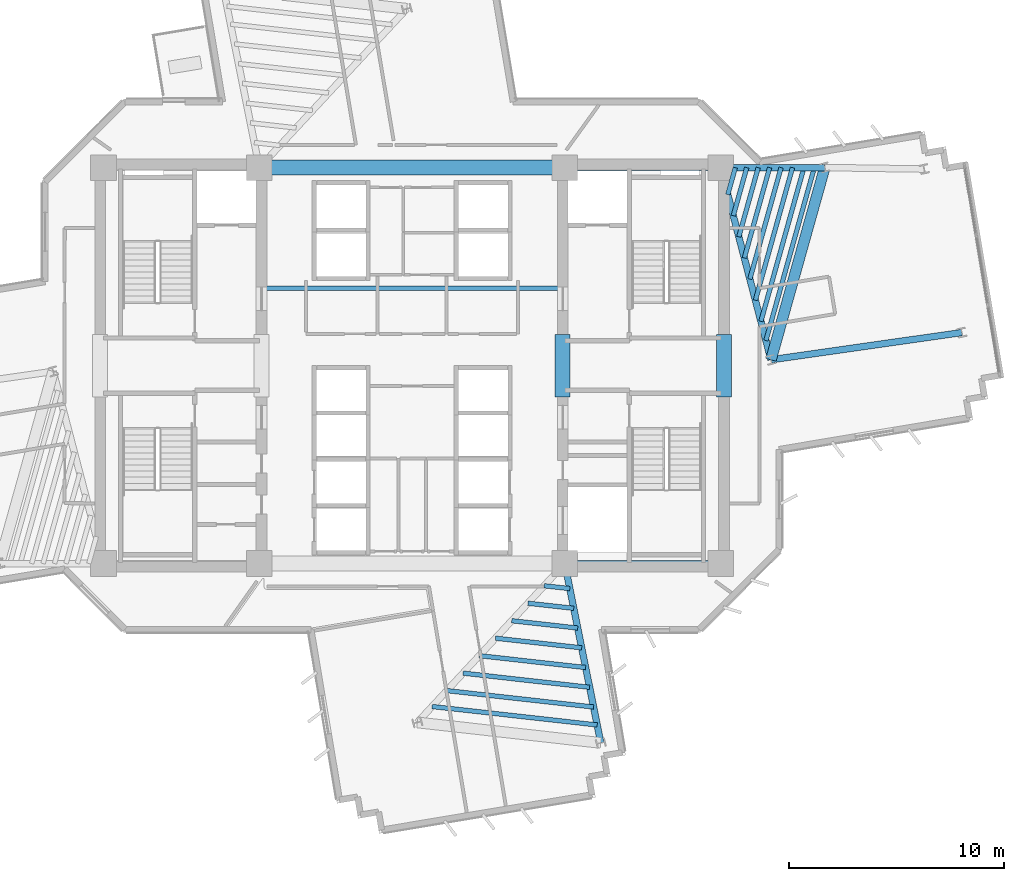
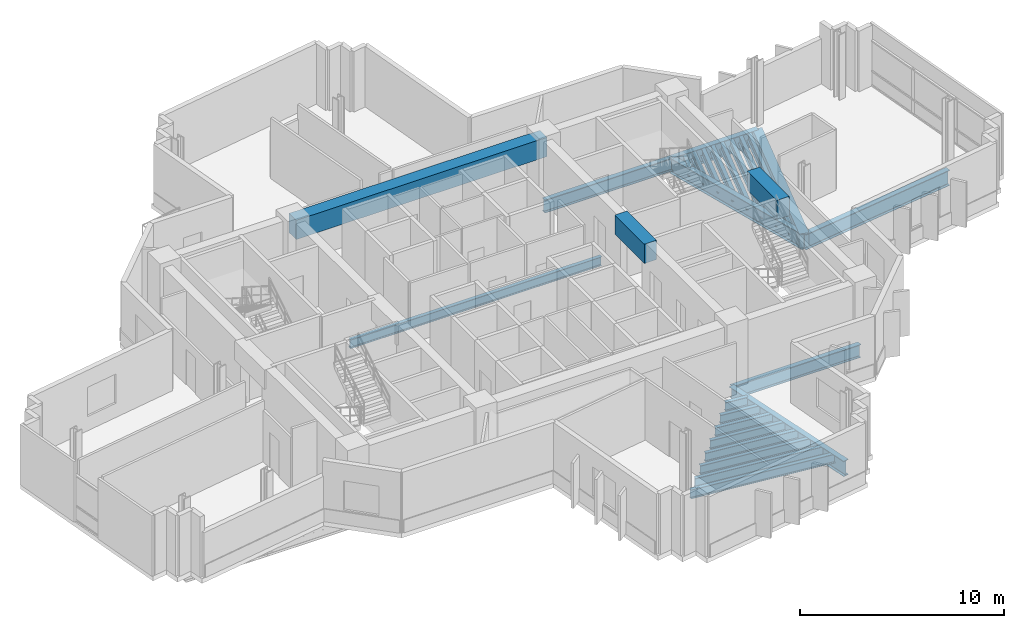
# One storey, part 4 of 15: 27 beams.
"""IFC4 building model written with IfcOpenShell, lengths in metres."""

from ifc_helpers import new_model, si_unit, direction, frame, origin, origin_2d, place, context, subcontext, project, spatial, rectangle, i_section, extrude, source, transform, mapped, material, material_profile, profile_set, type_object, element, save


model = new_model("IFC4")

# Units and contexts
model_context = context("Model", 3, precision=1e-05, world=origin(), true_north=direction((0.0, 1.0)))
body_context = subcontext(model_context, "Body", "Model", "MODEL_VIEW")
ifc_project = project(units=[si_unit("LENGTHUNIT", "METRE"), si_unit("AREAUNIT", "SQUARE_METRE"), si_unit("VOLUMEUNIT", "CUBIC_METRE"), si_unit("PLANEANGLEUNIT", "RADIAN"), si_unit("MASSUNIT", "GRAM", prefix="KILO")], contexts=[model_context])

# Site, building, storey
site_placement = place(None, origin())
site = spatial("IfcSite", under=ifc_project, at=site_placement, CompositionType="ELEMENT")
building_placement = place(site_placement, origin())
building = spatial("IfcBuilding", under=site, at=building_placement, Name="Zahravan Cultural Tower", CompositionType="ELEMENT")
storey_placement = place(building_placement, frame((0.0, 0.0, 135.60009765625)))
storey = spatial("IfcBuildingStorey", under=building, at=storey_placement, Name="L30", CompositionType="ELEMENT", Elevation=135.60009765625)

# Beams
ifc_material_1 = material(Name="Concrete C50/60", Category="concrete")
ifc_material_profile_1 = material_profile(ifc_material_1, rectangle(XDim=0.699951171875, YDim=1.14990234375, at=origin_2d()), Name="RC700X1150")
ifc_profile_set_1 = profile_set([ifc_material_profile_1], Name="Concrete C50/60")
beam_type_1 = type_object("IfcBeamType", Name="BM-LN-RC700X1150", PredefinedType="LINTEL", material=ifc_profile_set_1)
shared_shape_1 = source(origin(), body_context, "Body", "SweptSolid", [
    extrude(rectangle(XDim=0.699951171875, YDim=1.14990234375, at=origin_2d()), origin(), (0.0, 0.0, 1.0), 14.2001953125),
])
beam_1_placement = place(storey_placement, frame((28.89990234375, 36.199951171875, 3.044921875), z_axis=(1.0, 0.0, 0.0), x_axis=(0.0, 1.0, 0.0)))
element("IfcBeam", 1, at=beam_1_placement, inside=storey, type_object=beam_type_1, Name="L30 Beam LN-L30-N", PredefinedType="LINTEL", context=body_context, shape_type="MappedRepresentation", body=[
    mapped(shared_shape_1, transform((0.0, 0.0, 0.0), x_axis=(1.0, 0.0, 0.0), y_axis=(0.0, 1.0, 0.0), z_axis=(0.0, 0.0, 1.0), scale=1.0)),
])
shared_shape_2 = source(origin(), body_context, "Body", "SweptSolid", [
    extrude(rectangle(XDim=0.699951171875, YDim=1.14990234375, at=origin_2d()), origin(), (0.0, 0.0, 1.0), 2.89990234375),
])
for number, where, z_axis, x_axis, name in (
    (2, (43.0, 25.550048828125, 3.044921875), (0.0, 1.0, 0.0), (-1.0, 0.0, 0.0), "L30 Beam LN-L30-PEW"),
    (3, (50.5, 25.550048828125, 3.044921875), (0.0, 1.0, 0.0), (-1.0, 0.0, 0.0), "L30 Beam LN-L30-PEE"),
):
    element("IfcBeam", number, at=place(storey_placement, frame(where, z_axis=z_axis, x_axis=x_axis)), inside=storey, type_object=beam_type_1, Name=name, PredefinedType="LINTEL", context=body_context, shape_type="MappedRepresentation", body=[
        mapped(shared_shape_2, transform((0.0, 0.0, 0.0), x_axis=(1.0, 0.0, 0.0), y_axis=(0.0, 1.0, 0.0), z_axis=(0.0, 0.0, 1.0), scale=1.0)),
    ])
ifc_material_2 = material(Name="Steel ASTM A992 Grade 50", Category="steel")
ifc_material_profile_2 = material_profile(ifc_material_2, i_section(OverallWidth=0.26611328125, OverallDepth=0.780029296875, WebThickness=0.0166015625, FlangeThickness=0.030029296875, FilletRadius=0.01904296875, at=origin_2d()), Name="W30X148")
ifc_profile_set_2 = profile_set([ifc_material_profile_2], Name="Steel ASTM A992 Grade 50")
beam_type_2 = type_object("IfcBeamType", Name="BM-G-W30X148", PredefinedType="BEAM", material=ifc_profile_set_2)
shared_shape_3 = source(origin(), body_context, "Body", "SweptSolid", [
    extrude(i_section(OverallWidth=0.26611328125, OverallDepth=0.780029296875, WebThickness=0.0166015625, FlangeThickness=0.030029296875, FilletRadius=0.01904296875, at=origin_2d()), origin(), (0.0, 0.0, 1.0), 7.25),
])
for number, where, z_axis, x_axis, name in (
    (4, (43.10009765625, 17.800048828125, -0.670166015625), (1.0, 0.0, 0.0), (0.0, 1.0, 0.0), "L30 Beam BG-L30-04"),
    (5, (43.10009765625, 36.199951171875, -0.670166015625), (1.0, 0.0, 0.0), (0.0, 1.0, 0.0), "L30 Beam BG-L30-05"),
):
    element("IfcBeam", number, at=place(storey_placement, frame(where, z_axis=z_axis, x_axis=x_axis)), inside=storey, type_object=beam_type_2, Name=name, PredefinedType="BEAM", context=body_context, shape_type="MappedRepresentation", body=[
        mapped(shared_shape_3, transform((0.0, 0.0, 0.0), x_axis=(1.0, 0.0, 0.0), y_axis=(0.0, 1.0, 0.0), z_axis=(0.0, 0.0, 1.0), scale=1.0)),
    ])
ifc_material_profile_3 = material_profile(ifc_material_2, i_section(OverallWidth=0.304931640625, OverallDepth=0.9189453125, WebThickness=0.017333984375, FlangeThickness=0.02783203125, FilletRadius=0.02392578125, at=origin_2d()), Name="W36X170")
ifc_profile_set_3 = profile_set([ifc_material_profile_3], Name="Steel ASTM A992 Grade 50")
beam_type_3 = type_object("IfcBeamType", Name="BM-G-W36X170", PredefinedType="BEAM", material=ifc_profile_set_3)
shared_shape_4 = source(origin(), body_context, "Body", "SweptSolid", [
    extrude(i_section(OverallWidth=0.304931640625, OverallDepth=0.9189453125, WebThickness=0.017333984375, FlangeThickness=0.02783203125, FilletRadius=0.02392578125, at=origin_2d()), origin(), (0.0, 0.0, 1.0), 9.22900390625),
])
beam_2_placement = place(storey_placement, frame((50.35009765625, 36.199951171875, -0.739501953125), z_axis=(0.252922608408, -0.967486513682, 0.0), x_axis=(0.967486513682, 0.252922608408, 0.0)))
element("IfcBeam", 6, at=beam_2_placement, inside=storey, type_object=beam_type_3, Name="L30 Beam BG-L30-11", PredefinedType="BEAM", context=body_context, shape_type="MappedRepresentation", body=[
    mapped(shared_shape_4, transform((0.0, 0.0, 0.0), x_axis=(1.0, 0.0, 0.0), y_axis=(0.0, 1.0, 0.0), z_axis=(0.0, 0.0, 1.0), scale=1.0)),
])
shared_shape_5 = source(origin(), body_context, "Body", "SweptSolid", [
    extrude(i_section(OverallWidth=0.304931640625, OverallDepth=0.9189453125, WebThickness=0.017333984375, FlangeThickness=0.02783203125, FilletRadius=0.02392578125, at=origin_2d()), origin(), (0.0, 0.0, 1.0), 4.834716796875),
])
beam_3_placement = place(storey_placement, frame((50.35009765625, 36.199951171875, -0.739501953125), z_axis=(0.99999920313, 0.001262433979, 0.0), x_axis=(-0.001262433979, 0.99999920313, 0.0)))
element("IfcBeam", 7, at=beam_3_placement, inside=storey, type_object=beam_type_3, Name="L30 Beam BG-L30-12", PredefinedType="BEAM", context=body_context, shape_type="MappedRepresentation", body=[
    mapped(shared_shape_5, transform((0.0, 0.0, 0.0), x_axis=(1.0, 0.0, 0.0), y_axis=(0.0, 1.0, 0.0), z_axis=(0.0, 0.0, 1.0), scale=1.0)),
])
shared_shape_6 = source(origin(), body_context, "Body", "SweptSolid", [
    extrude(i_section(OverallWidth=0.304931640625, OverallDepth=0.9189453125, WebThickness=0.017333984375, FlangeThickness=0.02783203125, FilletRadius=0.02392578125, at=origin_2d()), origin(), (0.0, 0.0, 1.0), 8.50732421875),
])
beam_4_placement = place(storey_placement, frame((43.10009765625, 17.800048828125, -0.739501953125), z_axis=(0.196524514012, -0.980498911469, 0.0), x_axis=(0.980498911469, 0.196524514012, 0.0)))
element("IfcBeam", 8, at=beam_4_placement, inside=storey, type_object=beam_type_3, Name="L30 Beam BG-L30-10", PredefinedType="BEAM", context=body_context, shape_type="MappedRepresentation", body=[
    mapped(shared_shape_6, transform((0.0, 0.0, 0.0), x_axis=(1.0, 0.0, 0.0), y_axis=(0.0, 1.0, 0.0), z_axis=(0.0, 0.0, 1.0), scale=1.0)),
])
shared_shape_7 = source(origin(), body_context, "Body", "SweptSolid", [
    extrude(i_section(OverallWidth=0.304931640625, OverallDepth=0.9189453125, WebThickness=0.017333984375, FlangeThickness=0.02783203125, FilletRadius=0.02392578125, at=origin_2d()), origin(), (0.0, 0.0, 1.0), 8.9580078125),
])
beam_5_placement = place(storey_placement, frame((52.684326171875, 27.27099609375, -0.739501953125), z_axis=(0.990000122431, 0.141066500584, 0.0), x_axis=(-0.141066500584, 0.990000122431, 0.0)))
element("IfcBeam", 9, at=beam_5_placement, inside=storey, type_object=beam_type_3, Name="L30 Beam BG-L30-15", PredefinedType="BEAM", context=body_context, shape_type="MappedRepresentation", body=[
    mapped(shared_shape_7, transform((0.0, 0.0, 0.0), x_axis=(1.0, 0.0, 0.0), y_axis=(0.0, 1.0, 0.0), z_axis=(0.0, 0.0, 1.0), scale=1.0)),
])
ifc_material_profile_4 = material_profile(ifc_material_1, rectangle(XDim=0.5, YDim=0.85009765625, at=origin_2d()), Name="RC500X850")
ifc_profile_set_4 = profile_set([ifc_material_profile_4], Name="Concrete C50/60")
beam_type_4 = type_object("IfcBeamType", Name="BM-SP-RC500X850", PredefinedType="SPANDREL", material=ifc_profile_set_4)
shared_shape_8 = source(origin(), body_context, "Body", "SweptSolid", [
    extrude(rectangle(XDim=0.5, YDim=0.85009765625, at=origin_2d()), origin(), (0.0, 0.0, 1.0), 9.2783203125),
])
beam_6_placement = place(storey_placement, frame((52.684326171875, 27.27099609375, -0.705078125), z_axis=(0.269497187032, 0.963001176625, 0.0), x_axis=(-0.963001176625, 0.269497187032, 0.0)))
element("IfcBeam", 10, at=beam_6_placement, inside=storey, type_object=beam_type_4, Name="L30 Beam SP-L30-21", PredefinedType="SPANDREL", context=body_context, shape_type="MappedRepresentation", body=[
    mapped(shared_shape_8, transform((0.0, 0.0, 0.0), x_axis=(1.0, 0.0, 0.0), y_axis=(0.0, 1.0, 0.0), z_axis=(0.0, 0.0, 1.0), scale=1.0)),
])
ifc_material_profile_5 = material_profile(ifc_material_2, i_section(OverallWidth=0.2099609375, OverallDepth=0.532958984375, WebThickness=0.01025390625, FlangeThickness=0.015625, FilletRadius=0.013916015625, at=origin_2d()), Name="W21X62")
ifc_profile_set_5 = profile_set([ifc_material_profile_5], Name="Steel ASTM A992 Grade 50")
beam_type_5 = type_object("IfcBeamType", Name="BM-J-W21X62", PredefinedType="JOIST", material=ifc_profile_set_5)
shared_shape_9 = source(origin(), body_context, "Body", "SweptSolid", [
    extrude(i_section(OverallWidth=0.2099609375, OverallDepth=0.532958984375, WebThickness=0.01025390625, FlangeThickness=0.015625, FilletRadius=0.013916015625, at=origin_2d()), origin(), (0.0, 0.0, 1.0), 14.2001953125),
])
beam_7_placement = place(storey_placement, frame((28.89990234375, 30.60009765625, -0.546630859375), z_axis=(1.0, 0.0, 0.0), x_axis=(0.0, 1.0, 0.0)))
element("IfcBeam", 11, at=beam_7_placement, inside=storey, type_object=beam_type_5, Name="L30 Beam BJ-L30-23", PredefinedType="JOIST", context=body_context, shape_type="MappedRepresentation", body=[
    mapped(shared_shape_9, transform((0.0, 0.0, 0.0), x_axis=(1.0, 0.0, 0.0), y_axis=(0.0, 1.0, 0.0), z_axis=(0.0, 0.0, 1.0), scale=1.0)),
])
shared_shape_10 = source(origin(), body_context, "Body", "SweptSolid", [
    extrude(i_section(OverallWidth=0.2099609375, OverallDepth=0.532958984375, WebThickness=0.01025390625, FlangeThickness=0.015625, FilletRadius=0.013916015625, at=origin_2d()), origin(), (0.0, 0.0, 1.0), 1.299072265625),
])
beam_8_placement = place(storey_placement, frame((50.6767578125, 34.949951171875, -0.546630859375), z_axis=(0.269504444708, 0.962999145525, 0.0), x_axis=(-0.962999145525, 0.269504444708, 0.0)))
element("IfcBeam", 12, at=beam_8_placement, inside=storey, type_object=beam_type_5, Name="L30 Beam BJ-L30-40", PredefinedType="JOIST", context=body_context, shape_type="MappedRepresentation", body=[
    mapped(shared_shape_10, transform((0.0, 0.0, 0.0), x_axis=(1.0, 0.0, 0.0), y_axis=(0.0, 1.0, 0.0), z_axis=(0.0, 0.0, 1.0), scale=1.0)),
])
shared_shape_11 = source(origin(), body_context, "Body", "SweptSolid", [
    extrude(i_section(OverallWidth=0.2099609375, OverallDepth=0.532958984375, WebThickness=0.01025390625, FlangeThickness=0.015625, FilletRadius=0.013916015625, at=origin_2d()), origin(), (0.0, 0.0, 1.0), 2.3193359375),
])
beam_9_placement = place(storey_placement, frame((50.93359375, 33.9677734375, -0.546630859375), z_axis=(0.269462038626, 0.963011012263, 0.0), x_axis=(-0.963011012263, 0.269462038626, 0.0)))
element("IfcBeam", 13, at=beam_9_placement, inside=storey, type_object=beam_type_5, Name="L30 Beam BJ-L30-41", PredefinedType="JOIST", context=body_context, shape_type="MappedRepresentation", body=[
    mapped(shared_shape_11, transform((0.0, 0.0, 0.0), x_axis=(1.0, 0.0, 0.0), y_axis=(0.0, 1.0, 0.0), z_axis=(0.0, 0.0, 1.0), scale=1.0)),
])
shared_shape_12 = source(origin(), body_context, "Body", "SweptSolid", [
    extrude(i_section(OverallWidth=0.2099609375, OverallDepth=0.532958984375, WebThickness=0.01025390625, FlangeThickness=0.015625, FilletRadius=0.013916015625, at=origin_2d()), origin(), (0.0, 0.0, 1.0), 3.340087890625),
])
beam_10_placement = place(storey_placement, frame((51.190185546875, 32.985595703125, -0.546630859375), z_axis=(0.269562146951, 0.962982995141, 0.0), x_axis=(-0.962982995141, 0.269562146951, 0.0)))
element("IfcBeam", 14, at=beam_10_placement, inside=storey, type_object=beam_type_5, Name="L30 Beam BJ-L30-42", PredefinedType="JOIST", context=body_context, shape_type="MappedRepresentation", body=[
    mapped(shared_shape_12, transform((0.0, 0.0, 0.0), x_axis=(1.0, 0.0, 0.0), y_axis=(0.0, 1.0, 0.0), z_axis=(0.0, 0.0, 1.0), scale=1.0)),
])
shared_shape_13 = source(origin(), body_context, "Body", "SweptSolid", [
    extrude(i_section(OverallWidth=0.2099609375, OverallDepth=0.532958984375, WebThickness=0.01025390625, FlangeThickness=0.015625, FilletRadius=0.013916015625, at=origin_2d()), origin(), (0.0, 0.0, 1.0), 4.36083984375),
])
beam_11_placement = place(storey_placement, frame((51.447021484375, 32.00341796875, -0.546630859375), z_axis=(0.269511557673, 0.962997154866, 0.0), x_axis=(-0.962997154866, 0.269511557673, 0.0)))
element("IfcBeam", 15, at=beam_11_placement, inside=storey, type_object=beam_type_5, Name="L30 Beam BJ-L30-43", PredefinedType="JOIST", context=body_context, shape_type="MappedRepresentation", body=[
    mapped(shared_shape_13, transform((0.0, 0.0, 0.0), x_axis=(1.0, 0.0, 0.0), y_axis=(0.0, 1.0, 0.0), z_axis=(0.0, 0.0, 1.0), scale=1.0)),
])
shared_shape_14 = source(origin(), body_context, "Body", "SweptSolid", [
    extrude(i_section(OverallWidth=0.2099609375, OverallDepth=0.532958984375, WebThickness=0.01025390625, FlangeThickness=0.015625, FilletRadius=0.013916015625, at=origin_2d()), origin(), (0.0, 0.0, 1.0), 5.3818359375),
])
beam_12_placement = place(storey_placement, frame((51.703857421875, 31.02099609375, -0.546630859375), z_axis=(0.269510454638, 0.962997463569, 0.0), x_axis=(-0.962997463569, 0.269510454638, 0.0)))
element("IfcBeam", 16, at=beam_12_placement, inside=storey, type_object=beam_type_5, Name="L30 Beam BJ-L30-44", PredefinedType="JOIST", context=body_context, shape_type="MappedRepresentation", body=[
    mapped(shared_shape_14, transform((0.0, 0.0, 0.0), x_axis=(1.0, 0.0, 0.0), y_axis=(0.0, 1.0, 0.0), z_axis=(0.0, 0.0, 1.0), scale=1.0)),
])
shared_shape_15 = source(origin(), body_context, "Body", "SweptSolid", [
    extrude(i_section(OverallWidth=0.2099609375, OverallDepth=0.532958984375, WebThickness=0.01025390625, FlangeThickness=0.015625, FilletRadius=0.013916015625, at=origin_2d()), origin(), (0.0, 0.0, 1.0), 6.402099609375),
])
beam_13_placement = place(storey_placement, frame((51.960693359375, 30.038818359375, -0.546630859375), z_axis=(0.269494133533, 0.963002031146, 0.0), x_axis=(-0.963002031146, 0.269494133533, 0.0)))
element("IfcBeam", 17, at=beam_13_placement, inside=storey, type_object=beam_type_5, Name="L30 Beam BJ-L30-45", PredefinedType="JOIST", context=body_context, shape_type="MappedRepresentation", body=[
    mapped(shared_shape_15, transform((0.0, 0.0, 0.0), x_axis=(1.0, 0.0, 0.0), y_axis=(0.0, 1.0, 0.0), z_axis=(0.0, 0.0, 1.0), scale=1.0)),
])
shared_shape_16 = source(origin(), body_context, "Body", "SweptSolid", [
    extrude(i_section(OverallWidth=0.2099609375, OverallDepth=0.532958984375, WebThickness=0.01025390625, FlangeThickness=0.015625, FilletRadius=0.013916015625, at=origin_2d()), origin(), (0.0, 0.0, 1.0), 7.4228515625),
])
beam_14_placement = place(storey_placement, frame((52.21728515625, 29.056640625, -0.546630859375), z_axis=(0.269504266128, 0.962999195503, 0.0), x_axis=(-0.962999195503, 0.269504266128, 0.0)))
element("IfcBeam", 18, at=beam_14_placement, inside=storey, type_object=beam_type_5, Name="L30 Beam BJ-L30-46", PredefinedType="JOIST", context=body_context, shape_type="MappedRepresentation", body=[
    mapped(shared_shape_16, transform((0.0, 0.0, 0.0), x_axis=(1.0, 0.0, 0.0), y_axis=(0.0, 1.0, 0.0), z_axis=(0.0, 0.0, 1.0), scale=1.0)),
])
shared_shape_17 = source(origin(), body_context, "Body", "SweptSolid", [
    extrude(i_section(OverallWidth=0.2099609375, OverallDepth=0.532958984375, WebThickness=0.01025390625, FlangeThickness=0.015625, FilletRadius=0.013916015625, at=origin_2d()), origin(), (0.0, 0.0, 1.0), 8.350830078125),
])
beam_15_placement = place(storey_placement, frame((52.450927734375, 28.163818359375, -0.546630859375), z_axis=(0.269496539555, 0.963001357822, 0.0), x_axis=(-0.963001357822, 0.269496539555, 0.0)))
element("IfcBeam", 19, at=beam_15_placement, inside=storey, type_object=beam_type_5, Name="L30 Beam BJ-L30-47", PredefinedType="JOIST", context=body_context, shape_type="MappedRepresentation", body=[
    mapped(shared_shape_17, transform((0.0, 0.0, 0.0), x_axis=(1.0, 0.0, 0.0), y_axis=(0.0, 1.0, 0.0), z_axis=(0.0, 0.0, 1.0), scale=1.0)),
])
shared_shape_18 = source(origin(), body_context, "Body", "SweptSolid", [
    extrude(i_section(OverallWidth=0.2099609375, OverallDepth=0.532958984375, WebThickness=0.01025390625, FlangeThickness=0.015625, FilletRadius=0.013916015625, at=origin_2d()), origin(), (0.0, 0.0, 1.0), 1.201171875),
])
beam_16_placement = place(storey_placement, frame((42.140380859375, 16.765625, -0.546630859375), z_axis=(0.99379916149, -0.111190047317, 0.0), x_axis=(0.111190047317, 0.99379916149, 0.0)))
element("IfcBeam", 20, at=beam_16_placement, inside=storey, type_object=beam_type_5, Name="L30 Beam BJ-L30-32", PredefinedType="JOIST", context=body_context, shape_type="MappedRepresentation", body=[
    mapped(shared_shape_18, transform((0.0, 0.0, 0.0), x_axis=(1.0, 0.0, 0.0), y_axis=(0.0, 1.0, 0.0), z_axis=(0.0, 0.0, 1.0), scale=1.0)),
])
shared_shape_19 = source(origin(), body_context, "Body", "SweptSolid", [
    extrude(i_section(OverallWidth=0.2099609375, OverallDepth=0.532958984375, WebThickness=0.01025390625, FlangeThickness=0.015625, FilletRadius=0.013916015625, at=origin_2d()), origin(), (0.0, 0.0, 1.0), 2.144775390625),
])
beam_17_placement = place(storey_placement, frame((41.386474609375, 15.953125, -0.546630859375), z_axis=(0.993797370806, -0.111206051, 0.0), x_axis=(0.111206051, 0.993797370806, 0.0)))
element("IfcBeam", 21, at=beam_17_placement, inside=storey, type_object=beam_type_5, Name="L30 Beam BJ-L30-33", PredefinedType="JOIST", context=body_context, shape_type="MappedRepresentation", body=[
    mapped(shared_shape_19, transform((0.0, 0.0, 0.0), x_axis=(1.0, 0.0, 0.0), y_axis=(0.0, 1.0, 0.0), z_axis=(0.0, 0.0, 1.0), scale=1.0)),
])
shared_shape_20 = source(origin(), body_context, "Body", "SweptSolid", [
    extrude(i_section(OverallWidth=0.2099609375, OverallDepth=0.532958984375, WebThickness=0.01025390625, FlangeThickness=0.015625, FilletRadius=0.013916015625, at=origin_2d()), origin(), (0.0, 0.0, 1.0), 3.088623046875),
])
beam_18_placement = place(storey_placement, frame((40.63232421875, 15.140380859375, -0.546630859375), z_axis=(0.993805407368, -0.111134208443, 0.0), x_axis=(0.111134208443, 0.993805407368, 0.0)))
element("IfcBeam", 22, at=beam_18_placement, inside=storey, type_object=beam_type_5, Name="L30 Beam BJ-L30-34", PredefinedType="JOIST", context=body_context, shape_type="MappedRepresentation", body=[
    mapped(shared_shape_20, transform((0.0, 0.0, 0.0), x_axis=(1.0, 0.0, 0.0), y_axis=(0.0, 1.0, 0.0), z_axis=(0.0, 0.0, 1.0), scale=1.0)),
])
shared_shape_21 = source(origin(), body_context, "Body", "SweptSolid", [
    extrude(i_section(OverallWidth=0.2099609375, OverallDepth=0.532958984375, WebThickness=0.01025390625, FlangeThickness=0.015625, FilletRadius=0.013916015625, at=origin_2d()), origin(), (0.0, 0.0, 1.0), 4.0322265625),
])
beam_19_placement = place(storey_placement, frame((39.87841796875, 14.327880859375, -0.546630859375), z_axis=(0.993802245601, -0.11116247855, 0.0), x_axis=(0.11116247855, 0.993802245601, 0.0)))
element("IfcBeam", 23, at=beam_19_placement, inside=storey, type_object=beam_type_5, Name="L30 Beam BJ-L30-35", PredefinedType="JOIST", context=body_context, shape_type="MappedRepresentation", body=[
    mapped(shared_shape_21, transform((0.0, 0.0, 0.0), x_axis=(1.0, 0.0, 0.0), y_axis=(0.0, 1.0, 0.0), z_axis=(0.0, 0.0, 1.0), scale=1.0)),
])
shared_shape_22 = source(origin(), body_context, "Body", "SweptSolid", [
    extrude(i_section(OverallWidth=0.2099609375, OverallDepth=0.532958984375, WebThickness=0.01025390625, FlangeThickness=0.015625, FilletRadius=0.013916015625, at=origin_2d()), origin(), (0.0, 0.0, 1.0), 4.97607421875),
])
beam_20_placement = place(storey_placement, frame((39.124267578125, 13.51513671875, -0.546630859375), z_axis=(0.993806308517, -0.111126149723, 0.0), x_axis=(0.111126149723, 0.993806308517, 0.0)))
element("IfcBeam", 24, at=beam_20_placement, inside=storey, type_object=beam_type_5, Name="L30 Beam BJ-L30-36", PredefinedType="JOIST", context=body_context, shape_type="MappedRepresentation", body=[
    mapped(shared_shape_22, transform((0.0, 0.0, 0.0), x_axis=(1.0, 0.0, 0.0), y_axis=(0.0, 1.0, 0.0), z_axis=(0.0, 0.0, 1.0), scale=1.0)),
])
shared_shape_23 = source(origin(), body_context, "Body", "SweptSolid", [
    extrude(i_section(OverallWidth=0.2099609375, OverallDepth=0.532958984375, WebThickness=0.01025390625, FlangeThickness=0.015625, FilletRadius=0.013916015625, at=origin_2d()), origin(), (0.0, 0.0, 1.0), 5.919921875),
])
beam_21_placement = place(storey_placement, frame((38.370361328125, 12.70263671875, -0.546630859375), z_axis=(0.993804520866, -0.111142135602, 0.0), x_axis=(0.111142135602, 0.993804520866, 0.0)))
element("IfcBeam", 25, at=beam_21_placement, inside=storey, type_object=beam_type_5, Name="L30 Beam BJ-L30-37", PredefinedType="JOIST", context=body_context, shape_type="MappedRepresentation", body=[
    mapped(shared_shape_23, transform((0.0, 0.0, 0.0), x_axis=(1.0, 0.0, 0.0), y_axis=(0.0, 1.0, 0.0), z_axis=(0.0, 0.0, 1.0), scale=1.0)),
])
shared_shape_24 = source(origin(), body_context, "Body", "SweptSolid", [
    extrude(i_section(OverallWidth=0.2099609375, OverallDepth=0.532958984375, WebThickness=0.01025390625, FlangeThickness=0.015625, FilletRadius=0.013916015625, at=origin_2d()), origin(), (0.0, 0.0, 1.0), 6.86376953125),
])
beam_22_placement = place(storey_placement, frame((37.6162109375, 11.889892578125, -0.546630859375), z_axis=(0.993803224695, -0.111153725024, 0.0), x_axis=(0.111153725024, 0.993803224695, 0.0)))
element("IfcBeam", 26, at=beam_22_placement, inside=storey, type_object=beam_type_5, Name="L30 Beam BJ-L30-38", PredefinedType="JOIST", context=body_context, shape_type="MappedRepresentation", body=[
    mapped(shared_shape_24, transform((0.0, 0.0, 0.0), x_axis=(1.0, 0.0, 0.0), y_axis=(0.0, 1.0, 0.0), z_axis=(0.0, 0.0, 1.0), scale=1.0)),
])
shared_shape_25 = source(origin(), body_context, "Body", "SweptSolid", [
    extrude(i_section(OverallWidth=0.2099609375, OverallDepth=0.532958984375, WebThickness=0.01025390625, FlangeThickness=0.015625, FilletRadius=0.013916015625, at=origin_2d()), origin(), (0.0, 0.0, 1.0), 7.7216796875),
])
beam_23_placement = place(storey_placement, frame((36.930908203125, 11.151123046875, -0.546630859375), z_axis=(0.993805212115, -0.11113595446, 0.0), x_axis=(0.11113595446, 0.993805212115, 0.0)))
element("IfcBeam", 27, at=beam_23_placement, inside=storey, type_object=beam_type_5, Name="L30 Beam BJ-L30-39", PredefinedType="JOIST", context=body_context, shape_type="MappedRepresentation", body=[
    mapped(shared_shape_25, transform((0.0, 0.0, 0.0), x_axis=(1.0, 0.0, 0.0), y_axis=(0.0, 1.0, 0.0), z_axis=(0.0, 0.0, 1.0), scale=1.0)),
])

save(model, "model.ifc")
